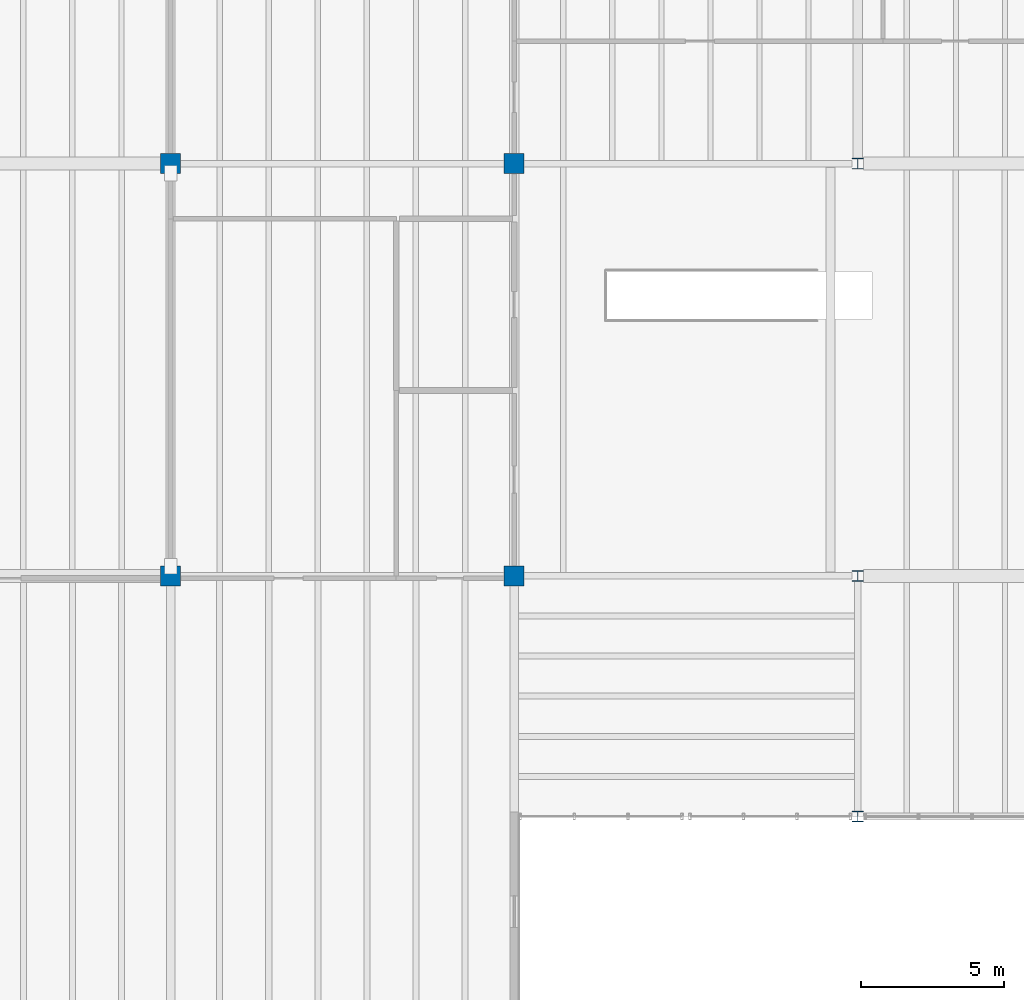
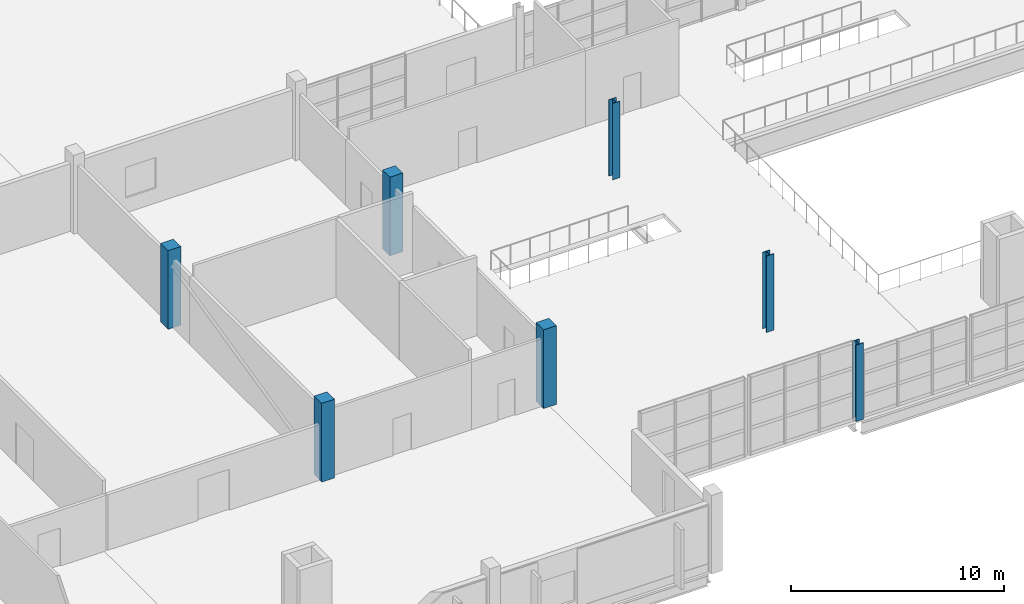
# One storey, part 2 of 78: 7 columns.
"""IFC4 building model written with IfcOpenShell, lengths in metres."""

from ifc_helpers import new_model, si_unit, direction, frame, origin, origin_2d, place, context, subcontext, project, spatial, rectangle, i_section, extrude, material, material_profile, profile_set, type_object, element, save


model = new_model("IFC4")

# Units and contexts
model_context = context("Model", 3, precision=1e-05, world=origin(), true_north=direction((0.0, 1.0)))
body_context = subcontext(model_context, "Body", "Model", "MODEL_VIEW")
ifc_project = project(units=[si_unit("LENGTHUNIT", "METRE"), si_unit("AREAUNIT", "SQUARE_METRE"), si_unit("VOLUMEUNIT", "CUBIC_METRE"), si_unit("PLANEANGLEUNIT", "RADIAN"), si_unit("MASSUNIT", "GRAM", prefix="KILO")], contexts=[model_context])

# Site, building, storey
site_placement = place(None, origin())
site = spatial("IfcSite", under=ifc_project, at=site_placement, CompositionType="ELEMENT")
building_placement = place(site_placement, origin())
building = spatial("IfcBuilding", under=site, at=building_placement, Name="Kelmvaro Bay Concert Hall", CompositionType="ELEMENT")
storey_placement = place(building_placement, frame((0.0, 0.0, 9.300048828125)))
storey = spatial("IfcBuildingStorey", under=building, at=storey_placement, Name="L02", CompositionType="ELEMENT", Elevation=9.300048828125)

# Columns
ifc_material_1 = material(Name="Steel ASTM A992 Grade 50", Category="steel")
ifc_material_profile_1 = material_profile(ifc_material_1, i_section(OverallWidth=0.39892578125, OverallDepth=0.385986328125, WebThickness=0.02099609375, FlangeThickness=0.033203125, at=origin_2d()), Name="W14X176")
ifc_profile_set_1 = profile_set([ifc_material_profile_1], Name="Steel ASTM A992 Grade 50")
column_type_1 = type_object("IfcColumnType", Name="Foyer Heavy Column W14x176", PredefinedType="COLUMN", material=ifc_profile_set_1)
for number, where, z_axis, x_axis, name in (
    (1, (60.0, 7.199951171875, 0.0), (0.0, 0.0, 1.0), (1.0, 0.0, 0.0), "L02 Column V5S-60-72"),
    (2, (60.0, 15.60009765625, 0.0), (0.0, 0.0, 1.0), (1.0, 0.0, 0.0), "L02 Column V5S-60-156"),
    (3, (60.0, 30.0, 0.0), (0.0, 0.0, 1.0), (1.0, 0.0, 0.0), "L02 Column V5S-60-300"),
):
    element("IfcColumn", number, at=place(storey_placement, frame(where, z_axis=z_axis, x_axis=x_axis)), inside=storey, type_object=column_type_1, Name=name, PredefinedType="COLUMN", context=body_context, shape_type="SweptSolid", body=[
        extrude(i_section(OverallWidth=0.39892578125, OverallDepth=0.385986328125, WebThickness=0.02099609375, FlangeThickness=0.033203125, at=origin_2d()), origin(), (0.0, 0.0, 1.0), 4.369873046875),
    ])
ifc_material_2 = material(Name="Concrete C40/50", Category="concrete")
ifc_material_profile_2 = material_profile(ifc_material_2, rectangle(XDim=0.699951171875, YDim=0.699951171875, at=origin_2d()), Name="RC-COL-700X700")
ifc_profile_set_2 = profile_set([ifc_material_profile_2], Name="Concrete C40/50")
column_type_2 = type_object("IfcColumnType", Name="Pavilion Mid Column RC700x700", PredefinedType="COLUMN", material=ifc_profile_set_2)
for number, where, z_axis, x_axis, name in (
    (4, (36.0, 15.60009765625, 0.0), (0.0, 0.0, 1.0), (1.0, 0.0, 0.0), "L02 Column V3G-36-156"),
    (5, (36.0, 30.0, 0.0), (0.0, 0.0, 1.0), (1.0, 0.0, 0.0), "L02 Column V3G-36-300"),
    (6, (48.0, 15.60009765625, 0.0), (0.0, 0.0, 1.0), (1.0, 0.0, 0.0), "L02 Column V3G-48-156"),
    (7, (48.0, 30.0, 0.0), (0.0, 0.0, 1.0), (1.0, 0.0, 0.0), "L02 Column V3G-48-300"),
):
    element("IfcColumn", number, at=place(storey_placement, frame(where, z_axis=z_axis, x_axis=x_axis)), inside=storey, type_object=column_type_2, Name=name, PredefinedType="COLUMN", context=body_context, shape_type="SweptSolid", body=[
        extrude(rectangle(XDim=0.699951171875, YDim=0.699951171875, at=origin_2d()), origin(), (0.0, 0.0, 1.0), 4.5),
    ])

save(model, "model.ifc")
